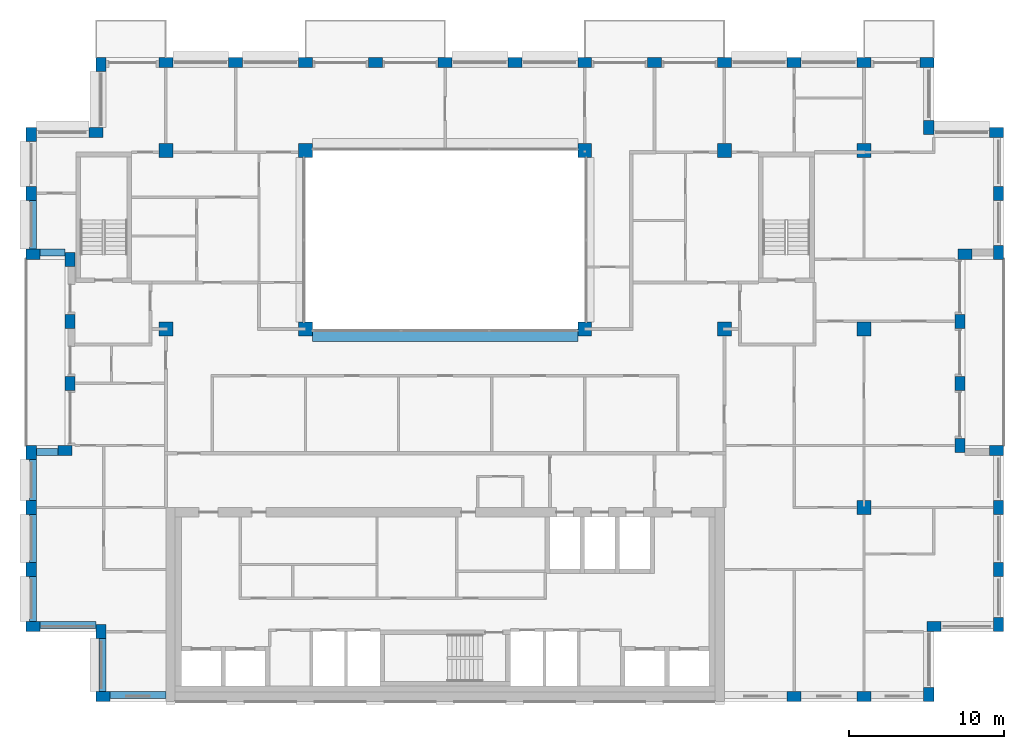
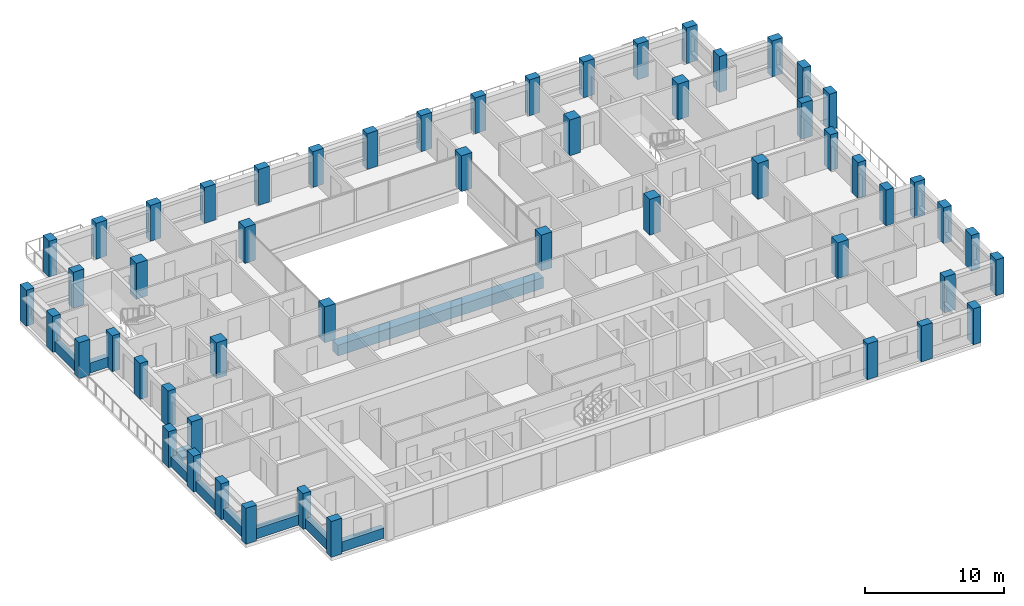
# One storey, part 1 of 16: 54 columns, 10 beams.
"""IFC4 building model written with IfcOpenShell, lengths in metres."""

import ifcopenshell
import ifcopenshell.guid

model = None  # the IFC model being written
_history = None  # IfcOwnerHistory: only IFC2X3 demands one
_inside = {}  # id of a spatial element -> (the spatial element, [elements in it])
_under = {}  # id of a project, library or spatial element -> (it, [spatial elements below it])
_declared = {}  # id of a project -> (the project, [libraries it declares])
_typed = {}  # id of a type object -> (the type object, [elements of that type])
_made_of = {}  # id of a material, layer set ... -> (it, [elements and type objects made of it])


def new_model(schema):
    """Start an empty IFC model of exactly this schema.

    Asked for "IFC4X3", IfcOpenShell would pick the latest addendum, in which some entities
    have other attributes; the version numbers below select the first issue.
    IFC2X3 requires an IfcOwnerHistory on every rooted entity: one is made here for all.
    """
    global model, _history
    if schema == "IFC4X3":
        model = ifcopenshell.file(schema_version=(4, 3, 0, 0))
    else:
        model = ifcopenshell.file(schema=schema)
    _inside.clear()
    _under.clear()
    _declared.clear()
    _typed.clear()
    _made_of.clear()
    _history = None
    if model.schema == "IFC2X3":
        org = make("IfcOrganization", Name="unknown")
        user = make(
            "IfcPersonAndOrganization",
            ThePerson=make("IfcPerson", FamilyName="unknown"),
            TheOrganization=org,
        )
        app = make(
            "IfcApplication",
            ApplicationDeveloper=org,
            Version="unknown",
            ApplicationFullName="unknown",
            ApplicationIdentifier="unknown",
        )
        _history = make(
            "IfcOwnerHistory",
            OwningUser=user,
            OwningApplication=app,
            ChangeAction="ADDED",
            CreationDate=0,
        )
    return model


def make(cls, **values):
    """One entity of the class cls with the attributes given. An attribute that is None is left unset."""
    return model.create_entity(
        cls, **{name: value for name, value in values.items() if value is not None}
    )


def rooted(cls, **values):
    """An entity with a GlobalId (a new one), such as an element, a storey or a relation."""
    return make(cls, GlobalId=ifcopenshell.guid.new(), OwnerHistory=_history, **values)


def si_unit(unit_type, name, prefix=None):
    """IfcSIUnit, for example si_unit("LENGTHUNIT", "METRE", prefix="MILLI")."""
    return make("IfcSIUnit", UnitType=unit_type, Prefix=prefix, Name=name)


def assignment(units):
    """IfcUnitAssignment: the units of a project."""
    return None if units is None else make("IfcUnitAssignment", Units=units)


def point(xyz):
    """IfcCartesianPoint."""
    return None if xyz is None else make("IfcCartesianPoint", Coordinates=xyz)


def direction(xyz):
    """IfcDirection."""
    return None if xyz is None else make("IfcDirection", DirectionRatios=xyz)


def frame(location, z_axis=None, x_axis=None):
    """IfcAxis2Placement3D, a coordinate frame: its origin and axes. An axis left out is left unset."""
    return make(
        "IfcAxis2Placement3D",
        Location=point(location),
        Axis=direction(z_axis),
        RefDirection=direction(x_axis),
    )


def frame_2d(location, x_axis=None):
    """IfcAxis2Placement2D, a coordinate frame in the plane: its origin and x axis."""
    return make(
        "IfcAxis2Placement2D", Location=point(location), RefDirection=direction(x_axis)
    )


def origin():
    """The frame at (0, 0, 0) with its axes left unset."""
    return frame((0.0, 0.0, 0.0))


def origin_2d():
    """The frame at (0, 0) in the plane with its x axis left unset."""
    return frame_2d((0.0, 0.0))


def place(relative_to, where):
    """IfcLocalPlacement: puts the frame where relative to a parent placement (None: the world)."""
    return make(
        "IfcLocalPlacement", PlacementRelTo=relative_to, RelativePlacement=where
    )


def context(
    kind, dimensions, precision=None, world=None, true_north=None, identifier=None
):
    """IfcGeometricRepresentationContext, for example the 3D "Model" context."""
    return make(
        "IfcGeometricRepresentationContext",
        ContextIdentifier=identifier,
        ContextType=kind,
        CoordinateSpaceDimension=dimensions,
        Precision=precision,
        WorldCoordinateSystem=world,
        TrueNorth=true_north,
    )


def subcontext(parent, identifier, kind, view, scale=None):
    """IfcGeometricRepresentationSubContext, for example "Body" below "Model"."""
    return make(
        "IfcGeometricRepresentationSubContext",
        ContextIdentifier=identifier,
        ContextType=kind,
        ParentContext=parent,
        TargetScale=scale,
        TargetView=view,
    )


def project(units=None, contexts=None):
    """IfcProject with its units and contexts."""
    return rooted(
        "IfcProject",
        Name="project",
        RepresentationContexts=contexts,
        UnitsInContext=assignment(units),
    )


def spatial(cls, under=None, at=None, **own):
    """A site, building, storey or space (cls), placed at a placement, below another one or the project."""
    s = rooted(cls, ObjectPlacement=at, **own)
    if under is not None:
        _under.setdefault(under.id(), (under, []))[1].append(s)
    return s


def profile(cls, at=None, kind="AREA", **sizes):
    """A parametric profile (cls). Its sizes go by their IFC names, for example OverallWidth=200.0."""
    return make(cls, ProfileType=kind, Position=at, **sizes)


def rectangle(**sizes):
    """IfcRectangleProfileDef."""
    return profile("IfcRectangleProfileDef", **sizes)


def extrude(swept, where, along, depth):
    """IfcExtrudedAreaSolid: the profile swept, set in the frame where, extruded along a direction by depth."""
    return make(
        "IfcExtrudedAreaSolid",
        SweptArea=swept,
        Position=where,
        ExtrudedDirection=direction(along),
        Depth=depth,
    )


def shape(context_of_items, identifier, shape_type, items):
    """IfcShapeRepresentation: the items that make up one representation, for example the "Body"."""
    return make(
        "IfcShapeRepresentation",
        ContextOfItems=context_of_items,
        RepresentationIdentifier=identifier,
        RepresentationType=shape_type,
        Items=items,
    )


def material(Name=None, Category=None):
    """IfcMaterial."""
    return make("IfcMaterial", Name=Name, Category=Category)


def material_profile(
    of_material, cross_section, Name=None, Category=None, Priority=None
):
    """IfcMaterialProfile: a cross section and its material."""
    return make(
        "IfcMaterialProfile",
        Name=Name,
        Material=of_material,
        Profile=cross_section,
        Priority=Priority,
        Category=Category,
    )


def profile_set(profiles, Name=None, composite=None):
    """IfcMaterialProfileSet."""
    return make(
        "IfcMaterialProfileSet",
        Name=Name,
        MaterialProfiles=profiles,
        CompositeProfile=composite,
    )


def made_of(thing, what):
    """Note that an element or type object is made of a material, layer set ...; save() writes the relation."""
    if what is not None:
        _made_of.setdefault(what.id(), (what, []))[1].append(thing)
    return thing


def type_object(cls, material=None, **own):
    """A type object (cls), such as IfcWallType, which elements share."""
    return made_of(rooted(cls, **own), material)


def element(
    cls,
    number,
    at=None,
    inside=None,
    cuts=None,
    type_object=None,
    material=None,
    context=None,
    identifier="Body",
    shape_type=None,
    held_by="IfcProductDefinitionShape",
    body=None,
    shapes=None,
    **own,
):
    """One element of the class cls, such as IfcWall. Its Tag is "e" and its number.

    at: its placement. inside: the storey or other place that contains it. cuts: it is an
    opening in that element (IfcRelVoidsElement). A single representation is given by context,
    identifier, shape_type and body (its items); several are given by shapes. held_by: the class
    of the entity that holds the representations. save() writes the other relations.
    """
    e = rooted(cls, Tag="e%d" % number, ObjectPlacement=at, **own)
    if body is not None:
        shapes = [shape(context, identifier, shape_type, body)]
    if shapes is not None:
        e.Representation = make(held_by, Representations=shapes)
    if inside is not None:
        _inside.setdefault(inside.id(), (inside, []))[1].append(e)
    if cuts is not None:
        rooted(
            "IfcRelVoidsElement", RelatingBuildingElement=cuts, RelatedOpeningElement=e
        )
    if type_object is not None:
        _typed.setdefault(type_object.id(), (type_object, []))[1].append(e)
    return made_of(e, material)


def aggregate(whole, parts):
    """IfcRelAggregates: a whole, such as a stair, and the parts it consists of."""
    return rooted("IfcRelAggregates", RelatingObject=whole, RelatedObjects=parts)


def save(model, path):
    """Write the relations noted so far, then the file.

    IfcRelAggregates (storeys below a building ...), IfcRelContainedInSpatialStructure (elements
    in a storey), IfcRelDefinesByType, IfcRelAssociatesMaterial and IfcRelDeclares: one each for
    every whole, place, type object, material and project.
    """
    for whole, parts in _under.values():
        aggregate(whole, parts)
    for where, things in _inside.values():
        rooted(
            "IfcRelContainedInSpatialStructure",
            RelatedElements=things,
            RelatingStructure=where,
        )
    for kind, things in _typed.values():
        rooted("IfcRelDefinesByType", RelatedObjects=things, RelatingType=kind)
    for what, things in _made_of.values():
        rooted("IfcRelAssociatesMaterial", RelatedObjects=things, RelatingMaterial=what)
    for by, libraries in _declared.values():
        rooted("IfcRelDeclares", RelatingContext=by, RelatedDefinitions=libraries)
    model.write(path)


model = new_model("IFC4")

# Units and contexts
model_context = context("Model", 3, precision=1e-05, world=origin(), true_north=direction((0.0, 1.0)))
body_context = subcontext(model_context, "Body", "Model", "MODEL_VIEW")
ifc_project = project(units=[si_unit("LENGTHUNIT", "METRE"), si_unit("AREAUNIT", "SQUARE_METRE"), si_unit("VOLUMEUNIT", "CUBIC_METRE"), si_unit("PLANEANGLEUNIT", "RADIAN"), si_unit("MASSUNIT", "GRAM", prefix="KILO")], contexts=[model_context])

# Site, building, storey
site_placement = place(None, origin())
site = spatial("IfcSite", under=ifc_project, at=site_placement, CompositionType="ELEMENT")
building_placement = place(site_placement, origin())
building = spatial("IfcBuilding", under=site, at=building_placement, Name="Brigalow Station Residences", CompositionType="ELEMENT")
storey_placement = place(building_placement, frame((0.0, 0.0, 201.14990234375)))
storey = spatial("IfcBuildingStorey", under=building, at=storey_placement, Name="L57", CompositionType="ELEMENT", Elevation=201.14990234375)

# Columns
ifc_material_1 = material(Name="Concrete C50", Category="concrete")
ifc_material_profile_1 = material_profile(ifc_material_1, rectangle(XDim=0.89990234375, YDim=0.89990234375, at=origin_2d()), Name="RC900x900")
ifc_profile_set_1 = profile_set([ifc_material_profile_1], Name="Concrete C50")
column_type_1 = type_object("IfcColumnType", Name="COLUMN 900x900 C50", PredefinedType="COLUMN", material=ifc_profile_set_1)
for number, where, z_axis, x_axis, name in (
    (1, (18.0, 24.0, 0.0), (0.0, 0.0, 1.0), (1.0, 0.0, 0.0), "COLUMN C2 L57"),
    (2, (27.0, 24.0, 0.0), (0.0, 0.0, 1.0), (1.0, 0.0, 0.0), "COLUMN C3 L57"),
    (3, (45.0, 24.0, 0.0), (0.0, 0.0, 1.0), (1.0, 0.0, 0.0), "COLUMN C5 L57"),
    (4, (54.0, 24.0, 0.0), (0.0, 0.0, 1.0), (1.0, 0.0, 0.0), "COLUMN C6 L57"),
    (5, (63.0, 24.0, 0.0), (0.0, 0.0, 1.0), (1.0, 0.0, 0.0), "COLUMN C7 L57"),
    (6, (18.0, 35.5, 0.0), (0.0, 0.0, 1.0), (1.0, 0.0, 0.0), "COLUMN D2 L57"),
    (7, (27.0, 35.5, 0.0), (0.0, 0.0, 1.0), (1.0, 0.0, 0.0), "COLUMN D3 L57"),
    (8, (45.0, 35.5, 0.0), (0.0, 0.0, 1.0), (1.0, 0.0, 0.0), "COLUMN D5 L57"),
    (9, (54.0, 35.5, 0.0), (0.0, 0.0, 1.0), (1.0, 0.0, 0.0), "COLUMN D6 L57"),
    (10, (63.0, 35.5, 0.0), (0.0, 0.0, 1.0), (1.0, 0.0, 0.0), "COLUMN D7 L57"),
    (11, (63.0, 12.5, 0.0), (0.0, 0.0, 1.0), (1.0, 0.0, 0.0), "COLUMN B7 L57"),
):
    element("IfcColumn", number, at=place(storey_placement, frame(where, z_axis=z_axis, x_axis=x_axis)), inside=storey, type_object=column_type_1, Name=name, PredefinedType="COLUMN", context=body_context, shape_type="SweptSolid", body=[
        extrude(rectangle(XDim=0.89990234375, YDim=0.89990234375, at=origin_2d()), origin(), (0.0, 0.0, 1.0), 3.150146484375),
    ])
ifc_material_2 = material(Name="Concrete C50", Category="concrete")
ifc_material_profile_2 = material_profile(ifc_material_2, rectangle(XDim=0.89990234375, YDim=0.64990234375, at=origin_2d()), Name="RC900x650")
ifc_profile_set_2 = profile_set([ifc_material_profile_2], Name="Concrete C50")
column_type_2 = type_object("IfcColumnType", Name="PIER 900x650 C50", PredefinedType="USERDEFINED", material=ifc_profile_set_2)
for number, where, z_axis, x_axis, name in (
    (12, (13.949951171875, 0.324951171875, 0.0), (0.0, 0.0, 1.0), (1.0, 0.0, 0.0), "PIER S-1 L57"),
    (13, (58.5, 0.324951171875, 0.0), (0.0, 0.0, 1.0), (1.0, 0.0, 0.0), "PIER S-11 L57"),
    (14, (63.0, 0.324951171875, 0.0), (0.0, 0.0, 1.0), (1.0, 0.0, 0.0), "PIER S-12 L57"),
    (15, (67.175048828125, 0.449951171875, 0.0), (0.0, 0.0, 1.0), (0.0, 1.0, 0.0), "PIER SE1-1 L57"),
    (16, (67.5, 4.824951171875, 0.0), (0.0, 0.0, 1.0), (1.0, 0.0, 0.0), "PIER SE2-1 L57"),
    (17, (71.675048828125, 4.949951171875, 0.0), (0.0, 0.0, 1.0), (0.0, 1.0, 0.0), "PIER E1-1 L57"),
    (18, (71.675048828125, 8.5, 0.0), (0.0, 0.0, 1.0), (0.0, 1.0, 0.0), "PIER E1-2 L57"),
    (19, (71.675048828125, 12.5, 0.0), (0.0, 0.0, 1.0), (0.0, 1.0, 0.0), "PIER E1-3 L57"),
    (20, (71.550048828125, 16.175048828125, 0.0), (0.0, 0.0, 1.0), (-1.0, 0.0, 0.0), "PIER EL1-1 L57"),
    (21, (69.175048828125, 16.5, 0.0), (0.0, 0.0, 1.0), (0.0, 1.0, 0.0), "PIER EL2-1 L57"),
    (22, (69.175048828125, 20.5, 0.0), (0.0, 0.0, 1.0), (0.0, 1.0, 0.0), "PIER EL2-2 L57"),
    (23, (69.175048828125, 24.5, 0.0), (0.0, 0.0, 1.0), (0.0, 1.0, 0.0), "PIER EL2-3 L57"),
    (24, (69.5, 28.824951171875, 0.0), (0.0, 0.0, 1.0), (1.0, 0.0, 0.0), "PIER EL3-1 L57"),
    (25, (71.675048828125, 28.949951171875, 0.0), (0.0, 0.0, 1.0), (0.0, 1.0, 0.0), "PIER E2-1 L57"),
    (26, (71.675048828125, 32.75, 0.0), (0.0, 0.0, 1.0), (0.0, 1.0, 0.0), "PIER E2-2 L57"),
    (27, (71.550048828125, 36.675048828125, 0.0), (0.0, 0.0, 1.0), (-1.0, 0.0, 0.0), "PIER NE1-1 L57"),
    (28, (67.175048828125, 37.0, 0.0), (0.0, 0.0, 1.0), (0.0, 1.0, 0.0), "PIER NE2-1 L57"),
    (29, (67.050048828125, 41.175048828125, 0.0), (0.0, 0.0, 1.0), (-1.0, 0.0, 0.0), "PIER N-1 L57"),
    (30, (63.0, 41.175048828125, 0.0), (0.0, 0.0, 1.0), (-1.0, 0.0, 0.0), "PIER N-2 L57"),
    (31, (58.5, 41.175048828125, 0.0), (0.0, 0.0, 1.0), (-1.0, 0.0, 0.0), "PIER N-3 L57"),
    (32, (54.0, 41.175048828125, 0.0), (0.0, 0.0, 1.0), (-1.0, 0.0, 0.0), "PIER N-4 L57"),
    (33, (49.5, 41.175048828125, 0.0), (0.0, 0.0, 1.0), (-1.0, 0.0, 0.0), "PIER N-5 L57"),
    (34, (45.0, 41.175048828125, 0.0), (0.0, 0.0, 1.0), (-1.0, 0.0, 0.0), "PIER N-6 L57"),
    (35, (40.5, 41.175048828125, 0.0), (0.0, 0.0, 1.0), (-1.0, 0.0, 0.0), "PIER N-7 L57"),
    (36, (36.0, 41.175048828125, 0.0), (0.0, 0.0, 1.0), (-1.0, 0.0, 0.0), "PIER N-8 L57"),
    (37, (31.5, 41.175048828125, 0.0), (0.0, 0.0, 1.0), (-1.0, 0.0, 0.0), "PIER N-9 L57"),
    (38, (27.0, 41.175048828125, 0.0), (0.0, 0.0, 1.0), (-1.0, 0.0, 0.0), "PIER N-10 L57"),
    (39, (22.5, 41.175048828125, 0.0), (0.0, 0.0, 1.0), (-1.0, 0.0, 0.0), "PIER N-11 L57"),
    (40, (18.0, 41.175048828125, 0.0), (0.0, 0.0, 1.0), (-1.0, 0.0, 0.0), "PIER N-12 L57"),
    (41, (13.824951171875, 41.050048828125, 0.0), (0.0, 0.0, 1.0), (0.0, -1.0, 0.0), "PIER NW1-1 L57"),
    (42, (13.5, 36.675048828125, 0.0), (0.0, 0.0, 1.0), (-1.0, 0.0, 0.0), "PIER NW2-1 L57"),
    (43, (9.324951171875, 36.550048828125, 0.0), (0.0, 0.0, 1.0), (0.0, -1.0, 0.0), "PIER W2-1 L57"),
    (44, (9.324951171875, 32.75, 0.0), (0.0, 0.0, 1.0), (0.0, -1.0, 0.0), "PIER W2-2 L57"),
    (45, (9.449951171875, 28.824951171875, 0.0), (0.0, 0.0, 1.0), (1.0, 0.0, 0.0), "PIER WL1-1 L57"),
    (46, (11.824951171875, 28.5, 0.0), (0.0, 0.0, 1.0), (0.0, -1.0, 0.0), "PIER WL2-1 L57"),
    (47, (11.824951171875, 24.5, 0.0), (0.0, 0.0, 1.0), (0.0, -1.0, 0.0), "PIER WL2-2 L57"),
    (48, (11.824951171875, 20.5, 0.0), (0.0, 0.0, 1.0), (0.0, -1.0, 0.0), "PIER WL2-3 L57"),
    (49, (11.5, 16.175048828125, 0.0), (0.0, 0.0, 1.0), (-1.0, 0.0, 0.0), "PIER WL3-1 L57"),
    (50, (9.324951171875, 16.050048828125, 0.0), (0.0, 0.0, 1.0), (0.0, -1.0, 0.0), "PIER W1-1 L57"),
    (51, (9.324951171875, 12.5, 0.0), (0.0, 0.0, 1.0), (0.0, -1.0, 0.0), "PIER W1-2 L57"),
    (52, (9.324951171875, 8.5, 0.0), (0.0, 0.0, 1.0), (0.0, -1.0, 0.0), "PIER W1-3 L57"),
    (53, (9.449951171875, 4.824951171875, 0.0), (0.0, 0.0, 1.0), (1.0, 0.0, 0.0), "PIER SW1-1 L57"),
    (54, (13.824951171875, 4.5, 0.0), (0.0, 0.0, 1.0), (0.0, -1.0, 0.0), "PIER SW2-1 L57"),
):
    element("IfcColumn", number, at=place(storey_placement, frame(where, z_axis=z_axis, x_axis=x_axis)), inside=storey, type_object=column_type_2, Name=name, ObjectType="PIER", PredefinedType="USERDEFINED", context=body_context, shape_type="SweptSolid", body=[
        extrude(rectangle(XDim=0.89990234375, YDim=0.64990234375, at=origin_2d()), origin(), (0.0, 0.0, 1.0), 3.150146484375),
    ])

# Beams
ifc_material_3 = material(Name="Concrete C65", Category="concrete")
ifc_material_profile_3 = material_profile(ifc_material_3, rectangle(XDim=0.800048828125, YDim=0.949951171875, at=origin_2d()), Name="RC800x950")
ifc_profile_set_3 = profile_set([ifc_material_profile_3], Name="Concrete C65")
beam_type_1 = type_object("IfcBeamType", Name="ATRIUM EDGE GIRDER OVER 13.5 M SPAN 800x950 C65", PredefinedType="BEAM", material=ifc_profile_set_3)
beam_1_placement = place(storey_placement, frame((27.449951171875, 23.60009765625, -0.794921875), z_axis=(1.0, 0.0, 0.0), x_axis=(0.0, 1.0, 0.0)))
element("IfcBeam", 55, at=beam_1_placement, inside=storey, type_object=beam_type_1, Name="ATRIUM EDGE GIRDER C L57", PredefinedType="BEAM", context=body_context, shape_type="SweptSolid", body=[
    extrude(rectangle(XDim=0.800048828125, YDim=0.949951171875, at=origin_2d()), origin(), (0.0, 0.0, 1.0), 17.10009765625),
])
ifc_material_4 = material(Name="Concrete C50", Category="concrete")
ifc_material_profile_4 = material_profile(ifc_material_4, rectangle(XDim=0.449951171875, YDim=0.89990234375, at=origin_2d()), Name="RC450x900")
ifc_profile_set_4 = profile_set([ifc_material_profile_4], Name="Concrete C50")
beam_type_2 = type_object("IfcBeamType", Name="SPANDREL BEAM 450x900 C50", PredefinedType="SPANDREL", material=ifc_profile_set_4)
beam_2_placement = place(storey_placement, frame((14.39990234375, 0.425048828125, 0.4501953125), z_axis=(1.0, 0.0, 0.0), x_axis=(0.0, 1.0, 0.0)))
element("IfcBeam", 56, at=beam_2_placement, inside=storey, type_object=beam_type_2, Name="L57/spandrel/W-L57-1", PredefinedType="SPANDREL", context=body_context, shape_type="SweptSolid", body=[
    extrude(rectangle(XDim=0.449951171875, YDim=0.89990234375, at=origin_2d()), origin(), (0.0, 0.0, 1.0), 3.60009765625),
])
beam_3_placement = place(storey_placement, frame((9.425048828125, 32.300048828125, 0.4501953125), z_axis=(0.0, -1.0, 0.0), x_axis=(1.0, 0.0, 0.0)))
element("IfcBeam", 57, at=beam_3_placement, inside=storey, type_object=beam_type_2, Name="L57/spandrel/W-L57-35", PredefinedType="SPANDREL", context=body_context, shape_type="SweptSolid", body=[
    extrude(rectangle(XDim=0.449951171875, YDim=0.89990234375, at=origin_2d()), origin(), (0.0, 0.0, 1.0), 3.150146484375),
])
beam_4_placement = place(storey_placement, frame((9.89990234375, 28.925048828125, 0.4501953125), z_axis=(1.0, 0.0, 0.0), x_axis=(0.0, 1.0, 0.0)))
element("IfcBeam", 58, at=beam_4_placement, inside=storey, type_object=beam_type_2, Name="L57/spandrel/W-L57-36", PredefinedType="SPANDREL", context=body_context, shape_type="SweptSolid", body=[
    extrude(rectangle(XDim=0.449951171875, YDim=0.89990234375, at=origin_2d()), origin(), (0.0, 0.0, 1.0), 1.60009765625),
])
beam_5_placement = place(storey_placement, frame((11.050048828125, 16.074951171875, 0.4501953125), z_axis=(-1.0, 0.0, 0.0), x_axis=(0.0, -1.0, 0.0)))
element("IfcBeam", 59, at=beam_5_placement, inside=storey, type_object=beam_type_2, Name="L57/spandrel/W-L57-40", PredefinedType="SPANDREL", context=body_context, shape_type="SweptSolid", body=[
    extrude(rectangle(XDim=0.449951171875, YDim=0.89990234375, at=origin_2d()), origin(), (0.0, 0.0, 1.0), 1.400146484375),
])
beam_6_placement = place(storey_placement, frame((9.425048828125, 15.60009765625, 0.4501953125), z_axis=(0.0, -1.0, 0.0), x_axis=(1.0, 0.0, 0.0)))
element("IfcBeam", 60, at=beam_6_placement, inside=storey, type_object=beam_type_2, Name="L57/spandrel/W-L57-41", PredefinedType="SPANDREL", context=body_context, shape_type="SweptSolid", body=[
    extrude(rectangle(XDim=0.449951171875, YDim=0.89990234375, at=origin_2d()), origin(), (0.0, 0.0, 1.0), 2.650146484375),
])
beam_7_placement = place(storey_placement, frame((9.425048828125, 12.050048828125, 0.4501953125), z_axis=(0.0, -1.0, 0.0), x_axis=(1.0, 0.0, 0.0)))
element("IfcBeam", 61, at=beam_7_placement, inside=storey, type_object=beam_type_2, Name="L57/spandrel/W-L57-42", PredefinedType="SPANDREL", context=body_context, shape_type="SweptSolid", body=[
    extrude(rectangle(XDim=0.449951171875, YDim=0.89990234375, at=origin_2d()), origin(), (0.0, 0.0, 1.0), 3.10009765625),
])
beam_8_placement = place(storey_placement, frame((9.425048828125, 8.050048828125, 0.4501953125), z_axis=(0.0, -1.0, 0.0), x_axis=(1.0, 0.0, 0.0)))
element("IfcBeam", 62, at=beam_8_placement, inside=storey, type_object=beam_type_2, Name="L57/spandrel/W-L57-43", PredefinedType="SPANDREL", context=body_context, shape_type="SweptSolid", body=[
    extrude(rectangle(XDim=0.449951171875, YDim=0.89990234375, at=origin_2d()), origin(), (0.0, 0.0, 1.0), 2.900146484375),
])
beam_9_placement = place(storey_placement, frame((9.89990234375, 4.925048828125, 0.4501953125), z_axis=(1.0, 0.0, 0.0), x_axis=(0.0, 1.0, 0.0)))
element("IfcBeam", 63, at=beam_9_placement, inside=storey, type_object=beam_type_2, Name="L57/spandrel/W-L57-44", PredefinedType="SPANDREL", context=body_context, shape_type="SweptSolid", body=[
    extrude(rectangle(XDim=0.449951171875, YDim=0.89990234375, at=origin_2d()), origin(), (0.0, 0.0, 1.0), 3.60009765625),
])
beam_10_placement = place(storey_placement, frame((13.925048828125, 4.050048828125, 0.4501953125), z_axis=(0.0, -1.0, 0.0), x_axis=(1.0, 0.0, 0.0)))
element("IfcBeam", 64, at=beam_10_placement, inside=storey, type_object=beam_type_2, Name="L57/spandrel/W-L57-45", PredefinedType="SPANDREL", context=body_context, shape_type="SweptSolid", body=[
    extrude(rectangle(XDim=0.449951171875, YDim=0.89990234375, at=origin_2d()), origin(), (0.0, 0.0, 1.0), 3.400146484375),
])

save(model, "model.ifc")
